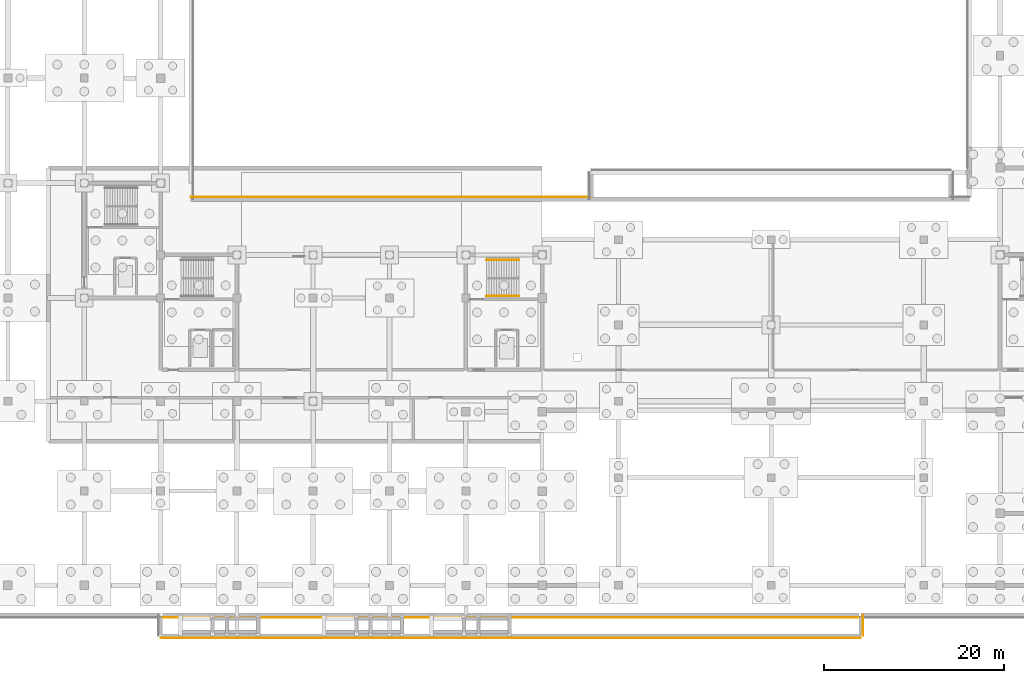
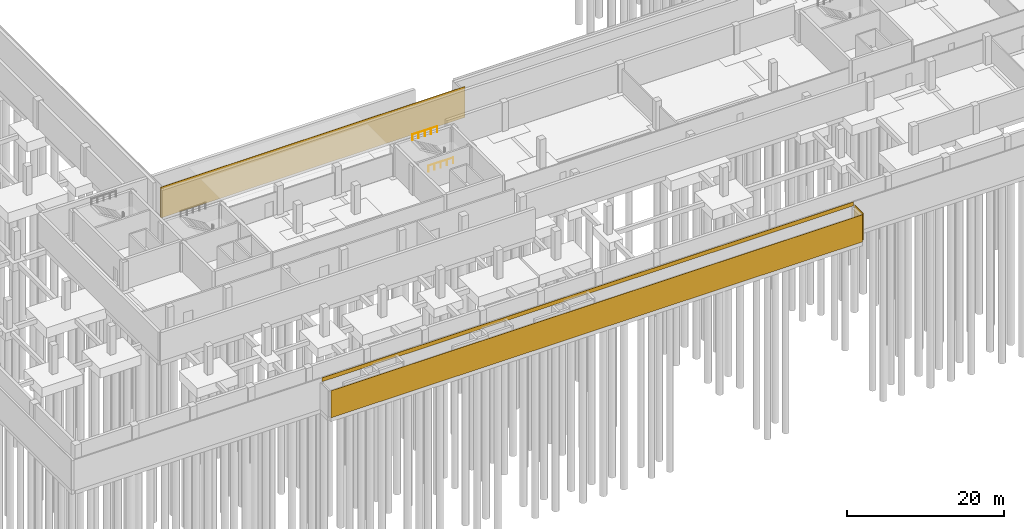
# One storey, part 19 of 25: 4 coverings, 2 railings.
"""IFC4 building model written with IfcOpenShell, lengths in metres."""

from ifc_helpers import new_model, si_unit, direction, frame, origin, origin_2d, place, context, subcontext, project, spatial, rectangle, circle, extrude, material, layer, layer_set, type_object, element, save


model = new_model("IFC4")

# Units and contexts
model_context = context("Model", 3, precision=1e-05, world=origin(), true_north=direction((0.0, 1.0)))
body_context = subcontext(model_context, "Body", "Model", "MODEL_VIEW")
ifc_project = project(units=[si_unit("LENGTHUNIT", "METRE"), si_unit("AREAUNIT", "SQUARE_METRE"), si_unit("VOLUMEUNIT", "CUBIC_METRE"), si_unit("PLANEANGLEUNIT", "RADIAN"), si_unit("MASSUNIT", "GRAM", prefix="KILO")], contexts=[model_context])

# Site, building, storey
site_placement = place(None, origin())
site = spatial("IfcSite", under=ifc_project, at=site_placement, CompositionType="ELEMENT")
building_placement = place(site_placement, origin())
building = spatial("IfcBuilding", under=site, at=building_placement, Name="Solvikara Media Centre", CompositionType="ELEMENT")
storey_placement = place(building_placement, frame((0.0, 0.0, -4.800048828125)))
storey = spatial("IfcBuildingStorey", under=building, at=storey_placement, Name="B01", CompositionType="ELEMENT", Elevation=-4.800048828125)

# Coverings
ifc_material_1 = material(Name="Reconstituted pale limestone flood-plinth cladding", Category="masonry")
ifc_layer = layer(ifc_material_1, 0.06005859375)
ifc_layer_set = layer_set([ifc_layer], Name="Reconstituted pale limestone flood-plinth cladding")
covering_type = type_object("IfcCoveringType", Name="CV-05", PredefinedType="CLADDING", material=ifc_layer_set)
covering_1_placement = place(storey_placement, frame((59.68994140625, 43.2548828125, 0.0), z_axis=(0.0, 0.0, 1.0), x_axis=(1.0, 0.0, 0.0)))
element("IfcCovering", 1, at=covering_1_placement, inside=storey, type_object=covering_type, Name="PLN-PASNW", PredefinedType="CLADDING", context=body_context, shape_type="SweptSolid", body=[
    extrude(rectangle(XDim=44.6201171875, YDim=0.06005859375, at=origin_2d()), origin(), (0.0, 0.0, 1.0), 4.800048828125),
])
covering_2_placement = place(storey_placement, frame((73.0, -5.885009765625, 0.0), z_axis=(0.0, 0.0, 1.0), x_axis=(1.0, 0.0, 0.0)))
element("IfcCovering", 2, at=covering_2_placement, inside=storey, type_object=covering_type, Name="PLN-FORES", PredefinedType="CLADDING", context=body_context, shape_type="SweptSolid", body=[
    extrude(rectangle(XDim=78.0, YDim=0.06005859375, at=origin_2d()), origin(), (0.0, 0.0, 1.0), 4.199951171875),
])
covering_3_placement = place(storey_placement, frame((112.2548828125, -4.47998046875, 0.0), z_axis=(0.0, 0.0, 1.0), x_axis=(0.0, 1.0, 0.0)))
element("IfcCovering", 3, at=covering_3_placement, inside=storey, type_object=covering_type, Name="PLN-FOREE", PredefinedType="CLADDING", context=body_context, shape_type="SweptSolid", body=[
    extrude(rectangle(XDim=2.300048828125, YDim=0.06005859375, at=origin_2d()), origin(), (0.0, 0.0, 1.0), 4.199951171875),
])
covering_4_placement = place(storey_placement, frame((73.0, -3.5849609375, 4.199951171875), z_axis=(0.0, 0.0, 1.0), x_axis=(1.0, 0.0, 0.0)))
element("IfcCovering", 4, at=covering_4_placement, inside=storey, type_object=covering_type, Name="PLN-RSRS", PredefinedType="CLADDING", context=body_context, shape_type="SweptSolid", body=[
    extrude(rectangle(XDim=78.0, YDim=0.06005859375, at=origin_2d()), origin(), (0.0, 0.0, 1.0), 0.60009765625),
])

# Railings
ifc_material_2 = material(Name="Steel S355JR", Category="steel")
railing_type = type_object("IfcRailingType", Name="HR-01", PredefinedType="HANDRAIL", material=ifc_material_2)
railing_1_placement = place(storey_placement, frame((70.280029296875, 32.199951171875, 2.400146484375)))
element("IfcRailing", 5, at=railing_1_placement, inside=storey, type_object=railing_type, Name="HR-C3-B01-1", PredefinedType="HANDRAIL", context=body_context, shape_type="SweptSolid", body=[
    extrude(circle(Radius=0.02392578125, at=origin_2d()), frame((0.0, 0.0, 0.89599609375), z_axis=(1.0, 0.0, 0.0), x_axis=(0.0, 1.0, 0.0)), (0.0, 0.0, 1.0), 3.639892578125),
    extrude(circle(Radius=0.02099609375, at=origin_2d()), origin(), (0.0, 0.0, 1.0), 0.871826171875),
    extrude(circle(Radius=0.02099609375, at=origin_2d()), frame((0.909912109375, 0.0, 0.0)), (0.0, 0.0, 1.0), 0.871826171875),
    extrude(circle(Radius=0.02099609375, at=origin_2d()), frame((1.81982421875, 0.0, 0.0)), (0.0, 0.0, 1.0), 0.871826171875),
    extrude(circle(Radius=0.02099609375, at=origin_2d()), frame((2.72998046875, 0.0, 0.0)), (0.0, 0.0, 1.0), 0.871826171875),
    extrude(circle(Radius=0.02099609375, at=origin_2d()), frame((3.639892578125, 0.0, 0.0)), (0.0, 0.0, 1.0), 0.871826171875),
])
railing_2_placement = place(storey_placement, frame((73.919921875, 36.25, 4.800048828125)))
element("IfcRailing", 6, at=railing_2_placement, inside=storey, type_object=railing_type, Name="HR-C3-B01-2", PredefinedType="HANDRAIL", context=body_context, shape_type="SweptSolid", body=[
    extrude(circle(Radius=0.02392578125, at=origin_2d()), frame((0.0, 0.0, 0.89599609375), z_axis=(-1.0, 0.0, 0.0), x_axis=(0.0, -1.0, 0.0)), (0.0, 0.0, 1.0), 3.639892578125),
    extrude(circle(Radius=0.02099609375, at=origin_2d()), origin(), (0.0, 0.0, 1.0), 0.871826171875),
    extrude(circle(Radius=0.02099609375, at=origin_2d()), frame((-0.909912109375, 0.0, 0.0)), (0.0, 0.0, 1.0), 0.871826171875),
    extrude(circle(Radius=0.02099609375, at=origin_2d()), frame((-1.81982421875, 0.0, 0.0)), (0.0, 0.0, 1.0), 0.871826171875),
    extrude(circle(Radius=0.02099609375, at=origin_2d()), frame((-2.72998046875, 0.0, 0.0)), (0.0, 0.0, 1.0), 0.871826171875),
    extrude(circle(Radius=0.02099609375, at=origin_2d()), frame((-3.639892578125, 0.0, 0.0)), (0.0, 0.0, 1.0), 0.871826171875),
])

save(model, "model.ifc")
